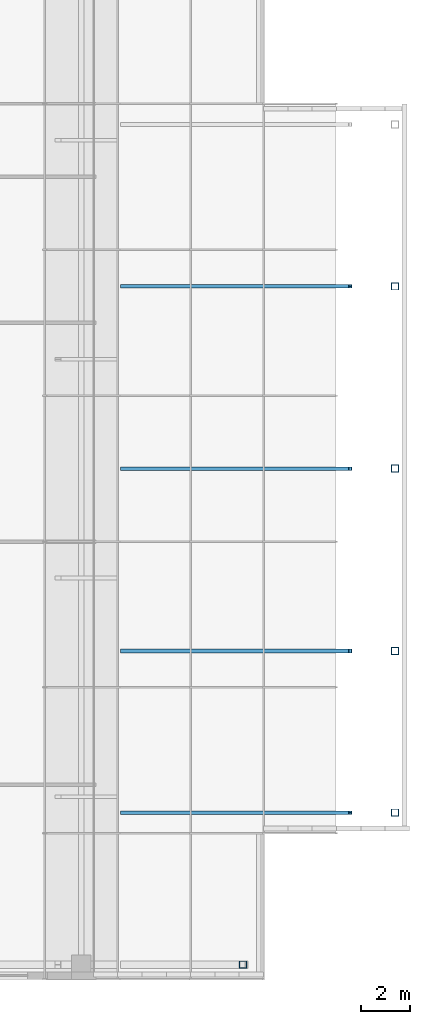
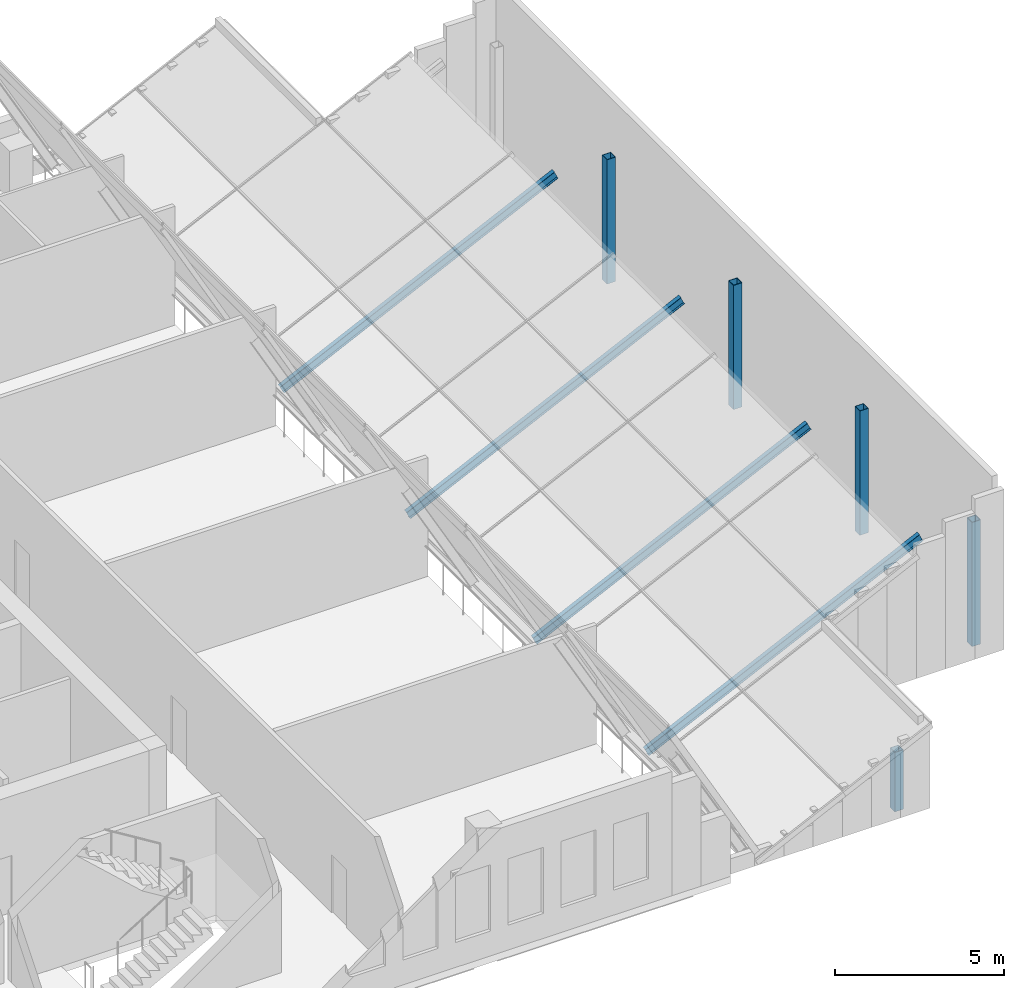
# One storey, part 2 of 11: 9 members.
"""IFC4 building model written with IfcOpenShell, lengths in metres."""

from ifc_helpers import new_model, si_unit, direction, frame, origin, origin_2d, place, context, subcontext, project, spatial, hollow_rectangle, i_section, extrude, source, transform, mapped, material, material_profile, profile_set, type_object, element, save


model = new_model("IFC4")

# Units and contexts
model_context = context("Model", 3, precision=1e-05, world=origin(), true_north=direction((0.0, 1.0)))
body_context = subcontext(model_context, "Body", "Model", "MODEL_VIEW")
ifc_project = project(units=[si_unit("LENGTHUNIT", "METRE"), si_unit("AREAUNIT", "SQUARE_METRE"), si_unit("VOLUMEUNIT", "CUBIC_METRE"), si_unit("PLANEANGLEUNIT", "RADIAN"), si_unit("MASSUNIT", "GRAM", prefix="KILO")], contexts=[model_context])

# Site, building, storey
site_placement = place(None, origin())
site = spatial("IfcSite", under=ifc_project, at=site_placement, CompositionType="ELEMENT")
building_placement = place(site_placement, origin())
building = spatial("IfcBuilding", under=site, at=building_placement, Name="Khomas Fold Tower", CompositionType="ELEMENT")
storey_placement = place(building_placement, frame((0.0, 0.0, 334.699951171875)))
storey = spatial("IfcBuildingStorey", under=building, at=storey_placement, Name="C2", CompositionType="ELEMENT", Elevation=334.699951171875)

# Members
ifc_material_1 = material(Name="Steel S355", Category="steel")
ifc_material_profile_1 = material_profile(ifc_material_1, hollow_rectangle(XDim=0.300048828125, YDim=0.300048828125, WallThickness=0.01611328125, at=origin_2d()), Name="SHS 300x300x16")
ifc_profile_set_1 = profile_set([ifc_material_profile_1], Name="Steel S355")
member_type_1 = type_object("IfcMemberType", Name="EAVE POST C2 SHORT SHS 300x300x16", PredefinedType="POST", material=ifc_profile_set_1)
shared_shape_1 = source(origin(), body_context, "Body", "SweptSolid", [
    extrude(hollow_rectangle(XDim=0.300048828125, YDim=0.300048828125, WallThickness=0.01611328125, at=origin_2d()), origin(), (0.0, 0.0, 1.0), 2.14599609375),
])
member_placement = place(storey_placement, frame((41.14990234375, 6.60009765625, 0.0), z_axis=(0.0, 0.0, 1.0), x_axis=(1.0, 0.0, 0.0)))
element("IfcMember", 1, at=member_placement, inside=storey, type_object=member_type_1, Name="CF-P-C2S", PredefinedType="POST", context=body_context, shape_type="MappedRepresentation", body=[
    mapped(shared_shape_1, transform((0.0, 0.0, 0.0))),
])
ifc_material_2 = material(Name="Steel S355", Category="steel")
ifc_material_profile_2 = material_profile(ifc_material_2, i_section(OverallWidth=0.14990234375, OverallDepth=0.300048828125, WebThickness=0.007080078125, FlangeThickness=0.0107421875, at=origin_2d()), Name="IPE 300")
ifc_profile_set_2 = profile_set([ifc_material_profile_2], Name="Steel S355")
member_type_2 = type_object("IfcMemberType", Name="ROOF RAFTER E C2 IPE 300", PredefinedType="RAFTER", material=ifc_profile_set_2)
shared_shape_2 = source(origin(), body_context, "Body", "SweptSolid", [
    extrude(i_section(OverallWidth=0.14990234375, OverallDepth=0.300048828125, WebThickness=0.007080078125, FlangeThickness=0.0107421875, at=origin_2d()), origin(), (0.0, 0.0, 1.0), 10.413818359375),
])
for number, where, z_axis, x_axis, name in (
    (2, (36.174560546875, 12.85009765625, 0.0), (0.901816980381, 0.0, 0.432118194359), (0.0, 1.0, 0.0), "CF-R2-E-C2"),
    (3, (36.174560546875, 19.5, 0.0), (0.901816980381, 0.0, 0.432118194359), (0.0, 1.0, 0.0), "CF-R2-E-C2"),
    (4, (36.174560546875, 27.0, 0.0), (0.901816980381, 0.0, 0.432118194359), (0.0, 1.0, 0.0), "CF-R2-E-C2"),
    (5, (36.174560546875, 34.5, 0.0), (0.901816980381, 0.0, 0.432118194359), (0.0, 1.0, 0.0), "CF-R2-E-C2"),
):
    element("IfcMember", number, at=place(storey_placement, frame(where, z_axis=z_axis, x_axis=x_axis)), inside=storey, type_object=member_type_2, Name=name, PredefinedType="RAFTER", context=body_context, shape_type="MappedRepresentation", body=[
        mapped(shared_shape_2, transform((0.0, 0.0, 0.0))),
    ])
ifc_material_3 = material(Name="Steel S355", Category="steel")
ifc_material_profile_3 = material_profile(ifc_material_3, hollow_rectangle(XDim=0.300048828125, YDim=0.300048828125, WallThickness=0.01611328125, at=origin_2d()), Name="SHS 300x300x16")
ifc_profile_set_3 = profile_set([ifc_material_profile_3], Name="Steel S355")
member_type_3 = type_object("IfcMemberType", Name="EAVE POST C2 SHS 300x300x16", PredefinedType="POST", material=ifc_profile_set_3)
shared_shape_3 = source(origin(), body_context, "Body", "SweptSolid", [
    extrude(hollow_rectangle(XDim=0.300048828125, YDim=0.300048828125, WallThickness=0.01611328125, at=origin_2d()), origin(), (0.0, 0.0, 1.0), 4.5),
])
for number, where, z_axis, x_axis, name in (
    (6, (47.39990234375, 12.85009765625, 0.0), (0.0, 0.0, 1.0), (1.0, 0.0, 0.0), "CF-P-C2"),
    (7, (47.39990234375, 19.5, 0.0), (0.0, 0.0, 1.0), (1.0, 0.0, 0.0), "CF-P-C2"),
    (8, (47.39990234375, 27.0, 0.0), (0.0, 0.0, 1.0), (1.0, 0.0, 0.0), "CF-P-C2"),
    (9, (47.39990234375, 34.5, 0.0), (0.0, 0.0, 1.0), (1.0, 0.0, 0.0), "CF-P-C2"),
):
    element("IfcMember", number, at=place(storey_placement, frame(where, z_axis=z_axis, x_axis=x_axis)), inside=storey, type_object=member_type_3, Name=name, PredefinedType="POST", context=body_context, shape_type="MappedRepresentation", body=[
        mapped(shared_shape_3, transform((0.0, 0.0, 0.0))),
    ])

save(model, "model.ifc")
